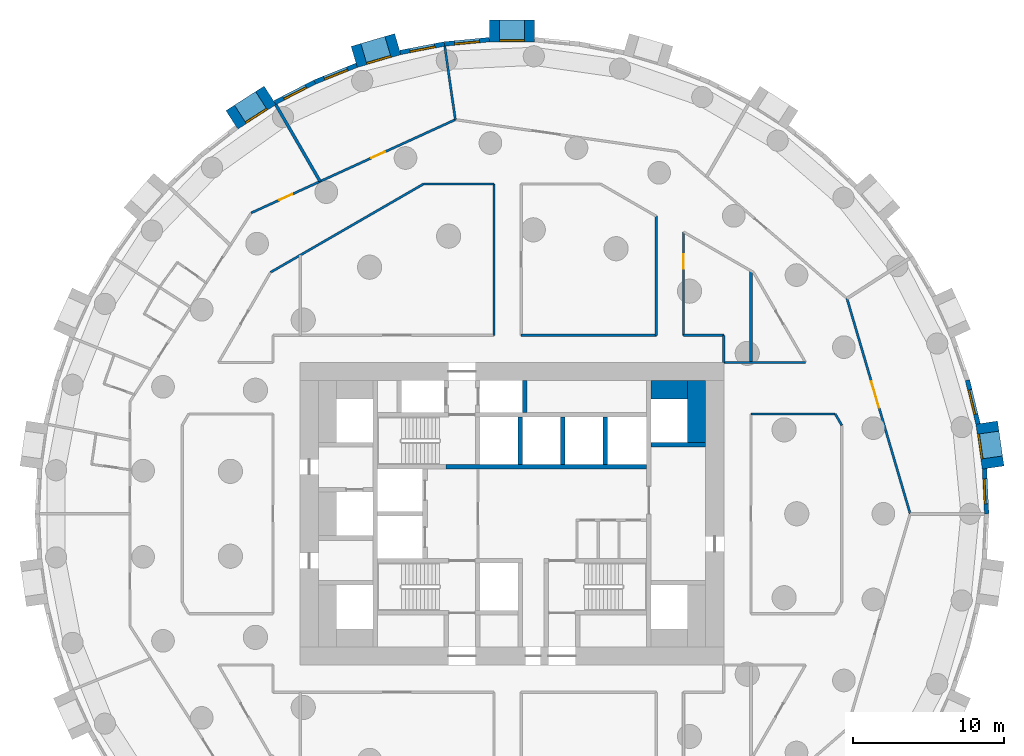
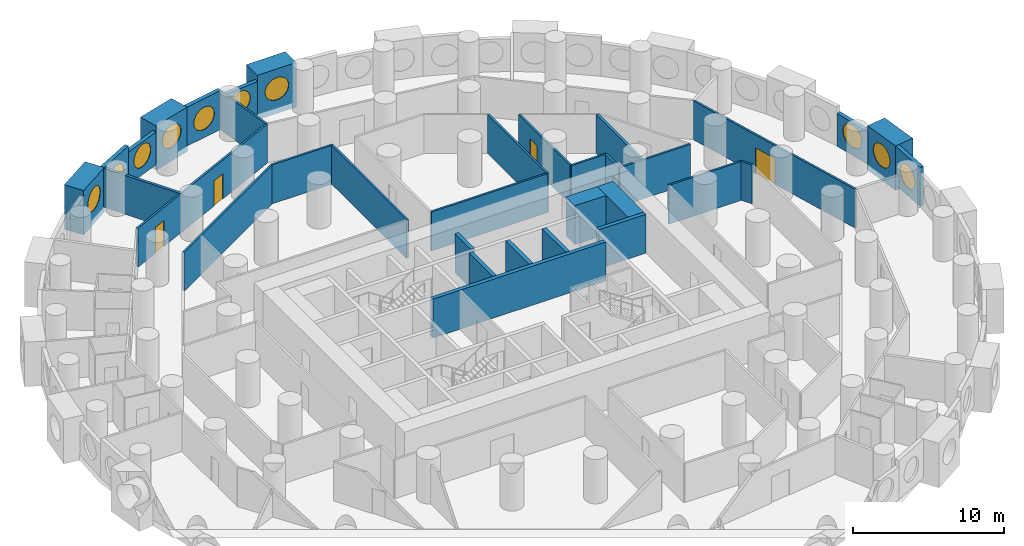
# One storey, part 8 of 11: 34 walls, 10 windows, 4 doors, 14 openings.
"""IFC4 building model written with IfcOpenShell, lengths in metres."""

from ifc_helpers import new_model, si_unit, direction, frame, frame_2d, origin, origin_2d, place, context, subcontext, project, spatial, rectangle, circle, extrude, material, layer, layer_set, type_object, element, fill, save


model = new_model("IFC4")

# Units and contexts
model_context = context("Model", 3, precision=1e-05, world=origin(), true_north=direction((0.0, 1.0)))
body_context = subcontext(model_context, "Body", "Model", "MODEL_VIEW")
ifc_project = project(units=[si_unit("LENGTHUNIT", "METRE"), si_unit("AREAUNIT", "SQUARE_METRE"), si_unit("VOLUMEUNIT", "CUBIC_METRE"), si_unit("PLANEANGLEUNIT", "RADIAN"), si_unit("MASSUNIT", "GRAM", prefix="KILO")], contexts=[model_context])

# Site, building, storey
site_placement = place(None, origin())
site = spatial("IfcSite", under=ifc_project, at=site_placement, CompositionType="ELEMENT")
building_placement = place(site_placement, origin())
building = spatial("IfcBuilding", under=site, at=building_placement, Name="Tracery Tower", CompositionType="ELEMENT")
storey_placement = place(building_placement, frame((0.0, 0.0, 60.60009765625)))
storey = spatial("IfcBuildingStorey", under=building, at=storey_placement, Name="L14", CompositionType="ELEMENT", Elevation=60.60009765625)

# Walls
ifc_material_1 = material(Name="Concrete C60/75", Category="concrete")
ifc_layer_1 = layer(ifc_material_1, 1.199951171875)
ifc_layer_set_1 = layer_set([ifc_layer_1], Name="Core strip wall 1200 C60")
wall_type_1 = type_object("IfcWallType", Name="Core strip wall 1200 C60", PredefinedType="SOLIDWALL", material=ifc_layer_set_1)
wall_1_placement = place(storey_placement, frame((12.199951171875, 4.699951171875, 0.0), z_axis=(0.0, 0.0, 1.0), x_axis=(0.0, 1.0, 0.0)))
element("IfcWall", 1, at=wall_1_placement, inside=storey, type_object=wall_type_1, Name="L14 wing strip +1 4.55", PredefinedType="SOLIDWALL", context=body_context, shape_type="SweptSolid", body=[
    extrude(rectangle(XDim=4.10009765625, YDim=1.199951171875, at=frame_2d((2.050048828125, 0.0))), origin(), (0.0, 0.0, 1.0), 3.14990234375),
])
wall_2_placement = place(storey_placement, frame((9.199951171875, 8.199951171875, 0.0), z_axis=(0.0, 0.0, 1.0), x_axis=(1.0, 0.0, 0.0)))
element("IfcWall", 2, at=wall_2_placement, inside=storey, type_object=wall_type_1, Name="L14 wing corner +1 +8.2", PredefinedType="SOLIDWALL", context=body_context, shape_type="SweptSolid", body=[
    extrude(rectangle(XDim=2.400146484375, YDim=1.199951171875, at=frame_2d((1.2001953125, 0.0))), origin(), (0.0, 0.0, 1.0), 3.14990234375),
])

# Wall, opening, window
ifc_material_2 = material(Name="Precast concrete C50/60", Category="concrete")
ifc_layer_2 = layer(ifc_material_2, 1.449951171875)
ifc_layer_set_2 = layer_set([ifc_layer_2], Name="Deep-set bay unit 3000 x 3600, slab edge 450")
wall_type_2 = type_object("IfcWallType", Name="Deep-set bay unit 3000 x 3600, slab edge 450", PredefinedType="ELEMENTEDWALL", material=ifc_layer_set_2)
wall_3_placement = place(storey_placement, frame((31.802490234375, 3.05712890625, -0.4501953125), z_axis=(0.0, 0.0, 1.0), x_axis=(-0.142332746704, 0.989818866872, 0.0)))
wall_3 = element("IfcWall", 3, at=wall_3_placement, inside=storey, type_object=wall_type_2, Name="Deep-set bay unit 2 at L14", PredefinedType="ELEMENTEDWALL", context=body_context, shape_type="SweptSolid", body=[
    extrude(rectangle(XDim=3.0, YDim=1.449951171875, at=frame_2d((1.5, 0.0))), origin(), (0.0, 0.0, 1.0), 3.60009765625),
])
opening_1_placement = place(wall_3_placement, frame((1.5, 0.0, 2.0)))
opening_1 = element("IfcOpeningElement", 4, at=opening_1_placement, cuts=wall_3, Name="Opening WN1", PredefinedType="OPENING", context=body_context, shape_type="SweptSolid", body=[
    extrude(circle(Radius=0.9000244140625, at=origin_2d()), frame((0.0, 0.73486328125, 0.0), z_axis=(0.0, -1.0, 0.0), x_axis=(1.0, 0.0, 0.0)), (0.0, 0.0, 1.0), 1.469970703125),
])
ifc_material_3 = material(Name="Aluminium frame with tinted double glazing", Category="aluminium")
window_type = type_object("IfcWindowType", Name="Round window 1800", PartitioningType="SINGLE_PANEL", PredefinedType="WINDOW", material=ifc_material_3)
window_1_placement = place(opening_1_placement, origin())
window_1 = element("IfcWindow", 5, at=window_1_placement, inside=storey, type_object=window_type, Name="Round window 2 at L14", OverallHeight=1.800048828125, OverallWidth=1.800048828125, PartitioningType="SINGLE_PANEL", PredefinedType="WINDOW", context=body_context, shape_type="SweptSolid", body=[
    extrude(circle(Radius=0.9000244140625, at=origin_2d()), frame((0.0, 0.69482421875, 0.0), z_axis=(0.0, -1.0, 0.0), x_axis=(1.0, 0.0, 0.0)), (0.0, 0.0, 1.0), 0.10009765625),
])
fill(opening_1, window_1)

wall_4_placement = place(storey_placement, frame((1.5, 31.913818359375, -0.4501953125), z_axis=(0.0, 0.0, 1.0), x_axis=(-1.0, 0.0, 0.0)))
wall_4 = element("IfcWall", 6, at=wall_4_placement, inside=storey, type_object=wall_type_2, Name="Deep-set bay unit 17 at L14", PredefinedType="ELEMENTEDWALL", context=body_context, shape_type="SweptSolid", body=[
    extrude(rectangle(XDim=3.0, YDim=1.449951171875, at=frame_2d((1.5, 0.0))), origin(), (0.0, 0.0, 1.0), 3.60009765625),
])
opening_2_placement = place(wall_4_placement, frame((1.5, 0.0, 2.0)))
opening_2 = element("IfcOpeningElement", 7, at=opening_2_placement, cuts=wall_4, Name="Opening WN1", PredefinedType="OPENING", context=body_context, shape_type="SweptSolid", body=[
    extrude(circle(Radius=0.9000244140625, at=origin_2d()), frame((0.0, 0.73486328125, 0.0), z_axis=(0.0, -1.0, 0.0), x_axis=(1.0, 0.0, 0.0)), (0.0, 0.0, 1.0), 1.469970703125),
])
window_2_placement = place(opening_2_placement, origin())
window_2 = element("IfcWindow", 8, at=window_2_placement, inside=storey, type_object=window_type, Name="Round window 17 at L14", OverallHeight=1.800048828125, OverallWidth=1.800048828125, PartitioningType="SINGLE_PANEL", PredefinedType="WINDOW", context=body_context, shape_type="SweptSolid", body=[
    extrude(circle(Radius=0.9000244140625, at=origin_2d()), frame((0.0, 0.69482421875, 0.0), z_axis=(0.0, -1.0, 0.0), x_axis=(1.0, 0.0, 0.0)), (0.0, 0.0, 1.0), 0.10009765625),
])
fill(opening_2, window_2)

wall_5_placement = place(storey_placement, frame((-7.552001953125, 31.043701171875, -0.4501953125), z_axis=(0.0, 0.0, 1.0), x_axis=(-0.959489813418, -0.281743319258, 0.0)))
wall_5 = element("IfcWall", 9, at=wall_5_placement, inside=storey, type_object=wall_type_2, Name="Deep-set bay unit 20 at L14", PredefinedType="ELEMENTEDWALL", context=body_context, shape_type="SweptSolid", body=[
    extrude(rectangle(XDim=3.0, YDim=1.449951171875, at=frame_2d((1.5, 0.0))), origin(), (0.0, 0.0, 1.0), 3.60009765625),
])
opening_3_placement = place(wall_5_placement, frame((1.5, 0.0, 2.0)))
opening_3 = element("IfcOpeningElement", 10, at=opening_3_placement, cuts=wall_5, Name="Opening WN1", PredefinedType="OPENING", context=body_context, shape_type="SweptSolid", body=[
    extrude(circle(Radius=0.9000244140625, at=origin_2d()), frame((0.0, 0.73486328125, 0.0), z_axis=(0.0, -1.0, 0.0), x_axis=(1.0, 0.0, 0.0)), (0.0, 0.0, 1.0), 1.469970703125),
])
window_3_placement = place(opening_3_placement, origin())
window_3 = element("IfcWindow", 11, at=window_3_placement, inside=storey, type_object=window_type, Name="Round window 20 at L14", OverallHeight=1.800048828125, OverallWidth=1.800048828125, PartitioningType="SINGLE_PANEL", PredefinedType="WINDOW", context=body_context, shape_type="SweptSolid", body=[
    extrude(circle(Radius=0.9000244140625, at=origin_2d()), frame((0.0, 0.69482421875, 0.0), z_axis=(0.0, -1.0, 0.0), x_axis=(1.0, 0.0, 0.0)), (0.0, 0.0, 1.0), 0.10009765625),
])
fill(opening_3, window_3)

wall_6_placement = place(storey_placement, frame((-15.9921875, 27.65869140625, -0.4501953125), z_axis=(0.0, 0.0, 1.0), x_axis=(-0.841223422347, -0.540687667415, 0.0)))
wall_6 = element("IfcWall", 12, at=wall_6_placement, inside=storey, type_object=wall_type_2, Name="Deep-set bay unit 23 at L14", PredefinedType="ELEMENTEDWALL", context=body_context, shape_type="SweptSolid", body=[
    extrude(rectangle(XDim=3.0, YDim=1.449951171875, at=frame_2d((1.5, 0.0))), origin(), (0.0, 0.0, 1.0), 3.60009765625),
])
opening_4_placement = place(wall_6_placement, frame((1.5, 0.0, 2.0)))
opening_4 = element("IfcOpeningElement", 13, at=opening_4_placement, cuts=wall_6, Name="Opening WN1", PredefinedType="OPENING", context=body_context, shape_type="SweptSolid", body=[
    extrude(circle(Radius=0.9000244140625, at=origin_2d()), frame((0.0, 0.73486328125, 0.0), z_axis=(0.0, -1.0, 0.0), x_axis=(1.0, 0.0, 0.0)), (0.0, 0.0, 1.0), 1.469970703125),
])
window_4_placement = place(opening_4_placement, origin())
window_4 = element("IfcWindow", 14, at=window_4_placement, inside=storey, type_object=window_type, Name="Round window 23 at L14", OverallHeight=1.800048828125, OverallWidth=1.800048828125, PartitioningType="SINGLE_PANEL", PredefinedType="WINDOW", context=body_context, shape_type="SweptSolid", body=[
    extrude(circle(Radius=0.9000244140625, at=origin_2d()), frame((0.0, 0.69482421875, 0.0), z_axis=(0.0, -1.0, 0.0), x_axis=(1.0, 0.0, 0.0)), (0.0, 0.0, 1.0), 0.10009765625),
])
fill(opening_4, window_4)

ifc_material_4 = material(Name="Precast concrete C50/60", Category="concrete")
ifc_layer_3 = layer(ifc_material_4, 0.300048828125)
ifc_layer_set_3 = layer_set([ifc_layer_3], Name="Facade panel 3000 x 2650")
wall_type_3 = type_object("IfcWallType", Name="Facade panel 3000 x 2650", PredefinedType="SOLIDWALL", material=ifc_layer_set_3)
wall_7_placement = place(storey_placement, frame((30.805908203125, 5.943603515625, 0.0), z_axis=(0.0, 0.0, 1.0), x_axis=(-0.235743081534, 0.971815414319, 0.0)))
wall_7 = element("IfcWall", 15, at=wall_7_placement, inside=storey, type_object=wall_type_3, Name="Facade panel 3 at L14", PredefinedType="SOLIDWALL", context=body_context, shape_type="SweptSolid", body=[
    extrude(rectangle(XDim=2.9794921875, YDim=0.300048828125, at=frame_2d((1.48974609375, 0.0))), origin(), (0.0, 0.0, 1.0), 2.64990234375),
])
opening_5_placement = place(wall_7_placement, frame((1.48974609375, 0.0, 1.5498046875)))
opening_5 = element("IfcOpeningElement", 16, at=opening_5_placement, cuts=wall_7, Name="Opening WN1", PredefinedType="OPENING", context=body_context, shape_type="SweptSolid", body=[
    extrude(circle(Radius=0.9000244140625, at=origin_2d()), frame((0.0, 0.159912109375, 0.0), z_axis=(0.0, -1.0, 0.0), x_axis=(1.0, 0.0, 0.0)), (0.0, 0.0, 1.0), 0.320068359375),
])
window_5_placement = place(opening_5_placement, origin())
window_5 = element("IfcWindow", 17, at=window_5_placement, inside=storey, type_object=window_type, Name="Round window 3 at L14", OverallHeight=1.800048828125, OverallWidth=1.800048828125, PartitioningType="SINGLE_PANEL", PredefinedType="WINDOW", context=body_context, shape_type="SweptSolid", body=[
    extrude(circle(Radius=0.9000244140625, at=origin_2d()), frame((0.0, 0.1201171875, 0.0), z_axis=(0.0, -1.0, 0.0), x_axis=(1.0, 0.0, 0.0)), (0.0, 0.0, 1.0), 0.10009765625),
])
fill(opening_5, window_5)

wall_8_placement = place(storey_placement, frame((-1.498779296875, 31.33837890625, 0.0), z_axis=(0.0, 0.0, 1.0), x_axis=(-0.995473351551, -0.095041077185, 0.0)))
wall_8 = element("IfcWall", 18, at=wall_8_placement, inside=storey, type_object=wall_type_3, Name="Facade panel 18 at L14", PredefinedType="SOLIDWALL", context=body_context, shape_type="SweptSolid", body=[
    extrude(rectangle(XDim=2.979736328125, YDim=0.300048828125, at=frame_2d((1.48974609375, 0.0))), origin(), (0.0, 0.0, 1.0), 2.64990234375),
])
opening_6_placement = place(wall_8_placement, frame((1.48974609375, 0.0, 1.5498046875)))
opening_6 = element("IfcOpeningElement", 19, at=opening_6_placement, cuts=wall_8, Name="Opening WN1", PredefinedType="OPENING", context=body_context, shape_type="SweptSolid", body=[
    extrude(circle(Radius=0.9000244140625, at=origin_2d()), frame((0.0, 0.159912109375, 0.0), z_axis=(0.0, -1.0, 0.0), x_axis=(1.0, 0.0, 0.0)), (0.0, 0.0, 1.0), 0.320068359375),
])
window_6_placement = place(opening_6_placement, origin())
window_6 = element("IfcWindow", 20, at=window_6_placement, inside=storey, type_object=window_type, Name="Round window 18 at L14", OverallHeight=1.800048828125, OverallWidth=1.800048828125, PartitioningType="SINGLE_PANEL", PredefinedType="WINDOW", context=body_context, shape_type="SweptSolid", body=[
    extrude(circle(Radius=0.9000244140625, at=origin_2d()), frame((0.0, 0.1201171875, 0.0), z_axis=(0.0, -1.0, 0.0), x_axis=(1.0, 0.0, 0.0)), (0.0, 0.0, 1.0), 0.10009765625),
])
fill(opening_6, window_6)

wall_9_placement = place(storey_placement, frame((-10.26708984375, 29.646484375, 0.0), z_axis=(0.0, 0.0, 1.0), x_axis=(-0.928403213937, -0.371574316054, 0.0)))
wall_9 = element("IfcWall", 21, at=wall_9_placement, inside=storey, type_object=wall_type_3, Name="Facade panel 21 at L14", PredefinedType="SOLIDWALL", context=body_context, shape_type="SweptSolid", body=[
    extrude(rectangle(XDim=2.979736328125, YDim=0.300048828125, at=frame_2d((1.48974609375, 0.0))), origin(), (0.0, 0.0, 1.0), 2.64990234375),
])
opening_7_placement = place(wall_9_placement, frame((1.48974609375, 0.0, 1.5498046875)))
opening_7 = element("IfcOpeningElement", 22, at=opening_7_placement, cuts=wall_9, Name="Opening WN1", PredefinedType="OPENING", context=body_context, shape_type="SweptSolid", body=[
    extrude(circle(Radius=0.9000244140625, at=origin_2d()), frame((0.0, 0.159912109375, 0.0), z_axis=(0.0, -1.0, 0.0), x_axis=(1.0, 0.0, 0.0)), (0.0, 0.0, 1.0), 0.320068359375),
])
window_7_placement = place(opening_7_placement, origin())
window_7 = element("IfcWindow", 23, at=window_7_placement, inside=storey, type_object=window_type, Name="Round window 21 at L14", OverallHeight=1.800048828125, OverallWidth=1.800048828125, PartitioningType="SINGLE_PANEL", PredefinedType="WINDOW", context=body_context, shape_type="SweptSolid", body=[
    extrude(circle(Radius=0.9000244140625, at=origin_2d()), frame((0.0, 0.1201171875, 0.0), z_axis=(0.0, -1.0, 0.0), x_axis=(1.0, 0.0, 0.0)), (0.0, 0.0, 1.0), 0.10009765625),
])
fill(opening_7, window_7)

ifc_material_5 = material(Name="Precast concrete C50/60", Category="concrete")
ifc_layer_4 = layer(ifc_material_5, 0.300048828125)
ifc_layer_set_4 = layer_set([ifc_layer_4], Name="Facade panel 3000 x 3150")
wall_type_4 = type_object("IfcWallType", Name="Facade panel 3000 x 3150", PredefinedType="SOLIDWALL", material=ifc_layer_set_4)
wall_10_placement = place(storey_placement, frame((31.37451171875, 0.0, 0.0), z_axis=(0.0, 0.0, 1.0), x_axis=(-0.047604077644, 0.998866283239, 0.0)))
wall_10 = element("IfcWall", 24, at=wall_10_placement, inside=storey, type_object=wall_type_4, Name="Facade panel 1 at L14", PredefinedType="SOLIDWALL", context=body_context, shape_type="SweptSolid", body=[
    extrude(rectangle(XDim=2.979736328125, YDim=0.300048828125, at=frame_2d((1.48974609375, 0.0))), origin(), (0.0, 0.0, 1.0), 3.14990234375),
])
opening_8_placement = place(wall_10_placement, frame((1.48974609375, 0.0, 1.5498046875)))
opening_8 = element("IfcOpeningElement", 25, at=opening_8_placement, cuts=wall_10, Name="Opening WN1", PredefinedType="OPENING", context=body_context, shape_type="SweptSolid", body=[
    extrude(circle(Radius=0.9000244140625, at=origin_2d()), frame((0.0, 0.159912109375, 0.0), z_axis=(0.0, -1.0, 0.0), x_axis=(1.0, 0.0, 0.0)), (0.0, 0.0, 1.0), 0.320068359375),
])
window_8_placement = place(opening_8_placement, origin())
window_8 = element("IfcWindow", 26, at=window_8_placement, inside=storey, type_object=window_type, Name="Round window 1 at L14", OverallHeight=1.800048828125, OverallWidth=1.800048828125, PartitioningType="SINGLE_PANEL", PredefinedType="WINDOW", context=body_context, shape_type="SweptSolid", body=[
    extrude(circle(Radius=0.9000244140625, at=origin_2d()), frame((0.0, 0.1201171875, 0.0), z_axis=(0.0, -1.0, 0.0), x_axis=(1.0, 0.0, 0.0)), (0.0, 0.0, 1.0), 0.10009765625),
])
fill(opening_8, window_8)

wall_11_placement = place(storey_placement, frame((-4.465087890625, 31.05517578125, 0.0), z_axis=(0.0, 0.0, 1.0), x_axis=(-0.981924535406, -0.189272836848, 0.0)))
wall_11 = element("IfcWall", 27, at=wall_11_placement, inside=storey, type_object=wall_type_4, Name="Facade panel 19 at L14", PredefinedType="SOLIDWALL", context=body_context, shape_type="SweptSolid", body=[
    extrude(rectangle(XDim=2.979736328125, YDim=0.300048828125, at=frame_2d((1.48974609375, 0.0))), origin(), (0.0, 0.0, 1.0), 3.14990234375),
])
opening_9_placement = place(wall_11_placement, frame((1.48974609375, 0.0, 1.5498046875)))
opening_9 = element("IfcOpeningElement", 28, at=opening_9_placement, cuts=wall_11, Name="Opening WN1", PredefinedType="OPENING", context=body_context, shape_type="SweptSolid", body=[
    extrude(circle(Radius=0.9000244140625, at=origin_2d()), frame((0.0, 0.159912109375, 0.0), z_axis=(0.0, -1.0, 0.0), x_axis=(1.0, 0.0, 0.0)), (0.0, 0.0, 1.0), 0.320068359375),
])
window_9_placement = place(opening_9_placement, origin())
window_9 = element("IfcWindow", 29, at=window_9_placement, inside=storey, type_object=window_type, Name="Round window 19 at L14", OverallHeight=1.800048828125, OverallWidth=1.800048828125, PartitioningType="SINGLE_PANEL", PredefinedType="WINDOW", context=body_context, shape_type="SweptSolid", body=[
    extrude(circle(Radius=0.9000244140625, at=origin_2d()), frame((0.0, 0.1201171875, 0.0), z_axis=(0.0, -1.0, 0.0), x_axis=(1.0, 0.0, 0.0)), (0.0, 0.0, 1.0), 0.10009765625),
])
fill(opening_9, window_9)

wall_12_placement = place(storey_placement, frame((-13.033447265625, 28.539306640625, 0.0), z_axis=(0.0, 0.0, 1.0), x_axis=(-0.888819853856, -0.458256770153, 0.0)))
wall_12 = element("IfcWall", 30, at=wall_12_placement, inside=storey, type_object=wall_type_4, Name="Facade panel 22 at L14", PredefinedType="SOLIDWALL", context=body_context, shape_type="SweptSolid", body=[
    extrude(rectangle(XDim=2.979736328125, YDim=0.300048828125, at=frame_2d((1.48974609375, 0.0))), origin(), (0.0, 0.0, 1.0), 3.14990234375),
])
opening_10_placement = place(wall_12_placement, frame((1.48974609375, 0.0, 1.5498046875)))
opening_10 = element("IfcOpeningElement", 31, at=opening_10_placement, cuts=wall_12, Name="Opening WN1", PredefinedType="OPENING", context=body_context, shape_type="SweptSolid", body=[
    extrude(circle(Radius=0.9000244140625, at=origin_2d()), frame((0.0, 0.159912109375, 0.0), z_axis=(0.0, -1.0, 0.0), x_axis=(1.0, 0.0, 0.0)), (0.0, 0.0, 1.0), 0.320068359375),
])
window_10_placement = place(opening_10_placement, origin())
window_10 = element("IfcWindow", 32, at=window_10_placement, inside=storey, type_object=window_type, Name="Round window 22 at L14", OverallHeight=1.800048828125, OverallWidth=1.800048828125, PartitioningType="SINGLE_PANEL", PredefinedType="WINDOW", context=body_context, shape_type="SweptSolid", body=[
    extrude(circle(Radius=0.9000244140625, at=origin_2d()), frame((0.0, 0.1201171875, 0.0), z_axis=(0.0, -1.0, 0.0), x_axis=(1.0, 0.0, 0.0)), (0.0, 0.0, 1.0), 0.10009765625),
])
fill(opening_10, window_10)

# Walls
ifc_material_6 = material(Name="Plasterboard on steel studs", Category="steel")
ifc_layer_5 = layer(ifc_material_6, 0.14990234375)
ifc_layer_set_5 = layer_set([ifc_layer_5], Name="Partition 150 acoustic unit wall")
wall_type_5 = type_object("IfcWallType", Name="Partition 150 acoustic unit wall", PredefinedType="PARTITIONING", material=ifc_layer_set_5)
wall_13_placement = place(storey_placement, frame((-4.444091796875, 30.906005859375, 0.0), z_axis=(0.0, 0.0, 1.0), x_axis=(0.142306296561, -0.989822669956, 0.0)))
element("IfcWall", 33, at=wall_13_placement, inside=storey, type_object=wall_type_5, Name="Unit wall RA4-068", PredefinedType="PARTITIONING", context=body_context, shape_type="SweptSolid", body=[
    extrude(rectangle(XDim=4.90478515625, YDim=0.14990234375, at=frame_2d((2.452392578125, 0.0))), origin(), (0.0, 0.0, 1.0), 3.14990234375),
])
ifc_material_7 = material(Name="Plasterboard on steel studs", Category="steel")
ifc_layer_6 = layer(ifc_material_7, 0.14990234375)
ifc_layer_set_6 = layer_set([ifc_layer_6], Name="Partition 150 corridor wall")
wall_type_6 = type_object("IfcWallType", Name="Partition 150 corridor wall", PredefinedType="PARTITIONING", material=ifc_layer_set_6)
wall_14_placement = place(storey_placement, frame((0.60400390625, 11.800048828125, 0.0), z_axis=(0.0, 0.0, 1.0), x_axis=(1.0, 0.0, 0.0)))
element("IfcWall", 34, at=wall_14_placement, inside=storey, type_object=wall_type_6, Name="Corridor wall RA4-002", PredefinedType="PARTITIONING", context=body_context, shape_type="SweptSolid", body=[
    extrude(rectangle(XDim=8.93603515625, YDim=0.14990234375, at=frame_2d((4.468017578125, 0.0))), origin(), (0.0, 0.0, 1.0), 3.14990234375),
])
wall_15_placement = place(storey_placement, frame((11.33203125, 11.800048828125, 0.0), z_axis=(0.0, 0.0, 1.0), x_axis=(1.0, 0.0, 0.0)))
element("IfcWall", 35, at=wall_15_placement, inside=storey, type_object=wall_type_6, Name="Corridor wall RA4-003", PredefinedType="PARTITIONING", context=body_context, shape_type="SweptSolid", body=[
    extrude(rectangle(XDim=2.66796875, YDim=0.14990234375, at=frame_2d((1.333984375, 0.0))), origin(), (0.0, 0.0, 1.0), 3.14990234375),
])
wall_16_placement = place(storey_placement, frame((14.0, 10.0, 0.0), z_axis=(0.0, 0.0, 1.0), x_axis=(0.0, 1.0, 0.0)))
element("IfcWall", 36, at=wall_16_placement, inside=storey, type_object=wall_type_6, Name="Corridor wall RA4-004", PredefinedType="PARTITIONING", context=body_context, shape_type="SweptSolid", body=[
    extrude(rectangle(XDim=1.800048828125, YDim=0.14990234375, at=frame_2d((0.89990234375, 0.0))), origin(), (0.0, 0.0, 1.0), 3.14990234375),
])
wall_17_placement = place(storey_placement, frame((14.0, 10.0, 0.0), z_axis=(0.0, 0.0, 1.0), x_axis=(1.0, 0.0, 0.0)))
element("IfcWall", 37, at=wall_17_placement, inside=storey, type_object=wall_type_6, Name="Corridor wall RA4-011", PredefinedType="PARTITIONING", context=body_context, shape_type="SweptSolid", body=[
    extrude(rectangle(XDim=5.40087890625, YDim=0.14990234375, at=frame_2d((2.700439453125, 0.0))), origin(), (0.0, 0.0, 1.0), 3.14990234375),
])
wall_18_placement = place(storey_placement, frame((21.364013671875, 6.60009765625, 0.0), z_axis=(0.0, 0.0, 1.0), x_axis=(0.500277597875, -0.865865073245, 0.0)))
element("IfcWall", 38, at=wall_18_placement, inside=storey, type_object=wall_type_6, Name="Corridor wall RA4-018", PredefinedType="PARTITIONING", context=body_context, shape_type="SweptSolid", body=[
    extrude(rectangle(XDim=0.87548828125, YDim=0.14990234375, at=frame_2d((0.437744140625, 0.0))), origin(), (0.0, 0.0, 1.0), 3.14990234375),
])
wall_19_placement = place(storey_placement, frame((15.800048828125, 6.60009765625, 0.0), z_axis=(0.0, 0.0, 1.0), x_axis=(1.0, 0.0, 0.0)))
element("IfcWall", 39, at=wall_19_placement, inside=storey, type_object=wall_type_6, Name="Corridor wall RA4-019", PredefinedType="PARTITIONING", context=body_context, shape_type="SweptSolid", body=[
    extrude(rectangle(XDim=5.56396484375, YDim=0.14990234375, at=frame_2d((2.781982421875, 0.0))), origin(), (0.0, 0.0, 1.0), 3.14990234375),
])

# Wall, opening, door
wall_20_placement = place(storey_placement, frame((22.14111328125, 14.22900390625, 0.0), z_axis=(0.0, 0.0, 1.0), x_axis=(0.281730446162, -0.959493593363, 0.0)))
wall_20 = element("IfcWall", 40, at=wall_20_placement, inside=storey, type_object=wall_type_6, Name="Corridor wall RA4-022", PredefinedType="PARTITIONING", context=body_context, shape_type="SweptSolid", body=[
    extrude(rectangle(XDim=14.82958984375, YDim=0.14990234375, at=frame_2d((7.414794921875, 0.0))), origin(), (0.0, 0.0, 1.0), 3.14990234375),
])
opening_11_placement = place(wall_20_placement, frame((5.715087890625, 0.0, 0.0)))
opening_11 = element("IfcOpeningElement", 41, at=opening_11_placement, cuts=wall_20, Name="Opening RA4-13", PredefinedType="OPENING", context=body_context, shape_type="SweptSolid", body=[
    extrude(rectangle(XDim=1.800048828125, YDim=2.10009765625, at=frame_2d((0.89990234375, 1.050048828125))), frame((0.0, 0.074951171875, 0.0), z_axis=(0.0, -1.0, 0.0), x_axis=(1.0, 0.0, 0.0)), (0.0, 0.0, 1.0), 0.14990234375),
])
ifc_material_8 = material(Name="Timber door leaf", Category="wood")
door_type_1 = type_object("IfcDoorType", Name="Door double lounge 1800", OperationType="NOTDEFINED", PredefinedType="DOOR", material=ifc_material_8)
door_1_placement = place(opening_11_placement, origin())
door_1 = element("IfcDoor", 42, at=door_1_placement, inside=storey, type_object=door_type_1, Name="Double lounge door RA4-13", OperationType="DOUBLE_DOOR_SINGLE_SWING", OverallHeight=2.10009765625, OverallWidth=1.800048828125, PredefinedType="DOOR", context=body_context, shape_type="SweptSolid", body=[
    extrude(rectangle(XDim=1.800048828125, YDim=2.10009765625, at=frame_2d((0.89990234375, 1.050048828125))), frame((0.0, 0.02490234375, 0.0), z_axis=(0.0, -1.0, 0.0), x_axis=(1.0, 0.0, 0.0)), (0.0, 0.0, 1.0), 0.050048828125),
])
fill(opening_11, door_1)

# Walls
wall_21_placement = place(storey_placement, frame((-1.19189453125, 11.800048828125, 0.0), z_axis=(0.0, 0.0, 1.0), x_axis=(0.0, 1.0, 0.0)))
element("IfcWall", 43, at=wall_21_placement, inside=storey, type_object=wall_type_6, Name="Corridor wall RA4-026", PredefinedType="PARTITIONING", context=body_context, shape_type="SweptSolid", body=[
    extrude(rectangle(XDim=10.001953125, YDim=0.14990234375, at=frame_2d((5.0009765625, 0.0))), origin(), (0.0, 0.0, 1.0), 3.14990234375),
])
wall_22_placement = place(storey_placement, frame((-5.842041015625, 21.802001953125, 0.0), z_axis=(0.0, 0.0, 1.0), x_axis=(1.0, 0.0, 0.0)))
element("IfcWall", 44, at=wall_22_placement, inside=storey, type_object=wall_type_6, Name="Corridor wall RA4-027", PredefinedType="PARTITIONING", context=body_context, shape_type="SweptSolid", body=[
    extrude(rectangle(XDim=4.650146484375, YDim=0.14990234375, at=frame_2d((2.3251953125, 0.0))), origin(), (0.0, 0.0, 1.0), 3.14990234375),
])
wall_23_placement = place(storey_placement, frame((-15.960205078125, 15.960205078125, 0.0), z_axis=(0.0, 0.0, 1.0), x_axis=(0.866022730501, 0.500004630234, 0.0)))
element("IfcWall", 45, at=wall_23_placement, inside=storey, type_object=wall_type_6, Name="Corridor wall RA4-028", PredefinedType="PARTITIONING", context=body_context, shape_type="SweptSolid", body=[
    extrude(rectangle(XDim=11.68359375, YDim=0.14990234375, at=frame_2d((5.841796875, 0.0))), origin(), (0.0, 0.0, 1.0), 3.14990234375),
])
wall_24_placement = place(storey_placement, frame((9.535888671875, 11.800048828125, 0.0), z_axis=(0.0, 0.0, 1.0), x_axis=(0.0, 1.0, 0.0)))
element("IfcWall", 46, at=wall_24_placement, inside=storey, type_object=wall_type_6, Name="Corridor wall RA4-029", PredefinedType="PARTITIONING", context=body_context, shape_type="SweptSolid", body=[
    extrude(rectangle(XDim=7.868896484375, YDim=0.14990234375, at=frame_2d((3.9345703125, 0.0))), origin(), (0.0, 0.0, 1.0), 3.14990234375),
])

# Wall, opening, door
wall_25_placement = place(storey_placement, frame((11.3359375, 11.800048828125, 0.0), z_axis=(0.0, 0.0, 1.0), x_axis=(0.0, 1.0, 0.0)))
wall_25 = element("IfcWall", 47, at=wall_25_placement, inside=storey, type_object=wall_type_6, Name="Corridor wall RA4-034", PredefinedType="PARTITIONING", context=body_context, shape_type="SweptSolid", body=[
    extrude(rectangle(XDim=6.829833984375, YDim=0.14990234375, at=frame_2d((3.4150390625, 0.0))), origin(), (0.0, 0.0, 1.0), 3.14990234375),
])
opening_12_placement = place(wall_25_placement, frame((4.389892578125, 0.0, 0.0)))
opening_12 = element("IfcOpeningElement", 48, at=opening_12_placement, cuts=wall_25, Name="Opening RA4-03", PredefinedType="OPENING", context=body_context, shape_type="SweptSolid", body=[
    extrude(rectangle(XDim=0.949951171875, YDim=2.10009765625, at=frame_2d((0.47509765625, 1.050048828125))), frame((0.0, 0.074951171875, 0.0), z_axis=(0.0, -1.0, 0.0), x_axis=(1.0, 0.0, 0.0)), (0.0, 0.0, 1.0), 0.14990234375),
])
ifc_material_9 = material(Name="Timber door leaf", Category="wood")
door_type_2 = type_object("IfcDoorType", Name="Door store 950", OperationType="NOTDEFINED", PredefinedType="DOOR", material=ifc_material_9)
door_2_placement = place(opening_12_placement, origin())
door_2 = element("IfcDoor", 49, at=door_2_placement, inside=storey, type_object=door_type_2, Name="Store door RA4-03", OperationType="SINGLE_SWING_LEFT", OverallHeight=2.10009765625, OverallWidth=0.949951171875, PredefinedType="DOOR", context=body_context, shape_type="SweptSolid", body=[
    extrude(rectangle(XDim=0.949951171875, YDim=2.10009765625, at=frame_2d((0.47509765625, 1.050048828125))), frame((0.0, 0.02490234375, 0.0), z_axis=(0.0, -1.0, 0.0), x_axis=(1.0, 0.0, 0.0)), (0.0, 0.0, 1.0), 0.050048828125),
])
fill(opening_12, door_2)

# Wall, openings, doors
wall_26_placement = place(storey_placement, frame((-17.23486328125, 19.8896484375, 0.0), z_axis=(0.0, 0.0, 1.0), x_axis=(0.909599826886, 0.415485444907, 0.0)))
wall_26 = element("IfcWall", 50, at=wall_26_placement, inside=storey, type_object=wall_type_6, Name="Corridor wall RA4-036", PredefinedType="PARTITIONING", context=body_context, shape_type="SweptSolid", body=[
    extrude(rectangle(XDim=14.829345703125, YDim=0.14990234375, at=frame_2d((7.41455078125, 0.0))), origin(), (0.0, 0.0, 1.0), 3.14990234375),
])
opening_13_placement = place(wall_26_placement, frame((8.71484375, 0.0, 0.0)))
opening_13 = element("IfcOpeningElement", 51, at=opening_13_placement, cuts=wall_26, Name="Opening RA4-16", PredefinedType="OPENING", context=body_context, shape_type="SweptSolid", body=[
    extrude(rectangle(XDim=1.0, YDim=2.0400390625, at=frame_2d((0.5, 1.02001953125))), frame((0.0, 0.074951171875, 0.0), z_axis=(0.0, -1.0, 0.0), x_axis=(1.0, 0.0, 0.0)), (0.0, 0.0, 1.0), 0.14990234375),
])
opening_14_placement = place(wall_26_placement, frame((2.029052734375, 0.0, 0.0)))
opening_14 = element("IfcOpeningElement", 52, at=opening_14_placement, cuts=wall_26, Name="Opening RA4-17", PredefinedType="OPENING", context=body_context, shape_type="SweptSolid", body=[
    extrude(rectangle(XDim=0.949951171875, YDim=2.10009765625, at=frame_2d((0.47509765625, 1.050048828125))), frame((0.0, 0.074951171875, 0.0), z_axis=(0.0, -1.0, 0.0), x_axis=(1.0, 0.0, 0.0)), (0.0, 0.0, 1.0), 0.14990234375),
])
ifc_material_10 = material(Name="Timber door leaf", Category="wood")
door_type_3 = type_object("IfcDoorType", Name="Door communal room 1000", OperationType="NOTDEFINED", PredefinedType="DOOR", material=ifc_material_10)
door_3_placement = place(opening_13_placement, origin())
door_3 = element("IfcDoor", 53, at=door_3_placement, inside=storey, type_object=door_type_3, Name="Communal room door RA4-16", OperationType="SINGLE_SWING_LEFT", OverallHeight=2.0400390625, OverallWidth=1.0, PredefinedType="DOOR", context=body_context, shape_type="SweptSolid", body=[
    extrude(rectangle(XDim=1.0, YDim=2.0400390625, at=frame_2d((0.5, 1.02001953125))), frame((0.0, 0.02490234375, 0.0), z_axis=(0.0, -1.0, 0.0), x_axis=(1.0, 0.0, 0.0)), (0.0, 0.0, 1.0), 0.050048828125),
])
fill(opening_13, door_3)
door_4_placement = place(opening_14_placement, origin())
door_4 = element("IfcDoor", 54, at=door_4_placement, inside=storey, type_object=door_type_2, Name="Store door RA4-17", OperationType="SINGLE_SWING_RIGHT", OverallHeight=2.10009765625, OverallWidth=0.949951171875, PredefinedType="DOOR", context=body_context, shape_type="SweptSolid", body=[
    extrude(rectangle(XDim=0.949951171875, YDim=2.10009765625, at=frame_2d((0.47509765625, 1.050048828125))), frame((0.0, 0.02490234375, 0.0), z_axis=(0.0, -1.0, 0.0), x_axis=(1.0, 0.0, 0.0)), (0.0, 0.0, 1.0), 0.050048828125),
])
fill(opening_14, door_4)

# Walls
ifc_material_11 = material(Name="Plasterboard on steel studs", Category="steel")
ifc_layer_7 = layer(ifc_material_11, 0.199951171875)
ifc_layer_set_7 = layer_set([ifc_layer_7], Name="Partition 200 compartment wall")
wall_type_7 = type_object("IfcWallType", Name="Partition 200 compartment wall", PredefinedType="PARTITIONING", material=ifc_layer_set_7)
wall_27_placement = place(storey_placement, frame((15.800048828125, 10.0, 0.0), z_axis=(0.0, 0.0, 1.0), x_axis=(0.0, 1.0, 0.0)))
element("IfcWall", 55, at=wall_27_placement, inside=storey, type_object=wall_type_7, Name="Compartment wall RA4-062", PredefinedType="PARTITIONING", context=body_context, shape_type="SweptSolid", body=[
    extrude(rectangle(XDim=6.052978515625, YDim=0.199951171875, at=frame_2d((3.0263671875, 0.0))), origin(), (0.0, 0.0, 1.0), 3.14990234375),
])
wall_28_placement = place(storey_placement, frame((-15.612060546875, 27.041015625, 0.0), z_axis=(0.0, 0.0, 1.0), x_axis=(0.499954606878, -0.86605160993, 0.0)))
element("IfcWall", 56, at=wall_28_placement, inside=storey, type_object=wall_type_7, Name="Compartment wall RA4-069", PredefinedType="PARTITIONING", context=body_context, shape_type="SweptSolid", body=[
    extrude(rectangle(XDim=5.8564453125, YDim=0.199951171875, at=frame_2d((2.92822265625, 0.0))), origin(), (0.0, 0.0, 1.0), 3.14990234375),
])
ifc_material_12 = material(Name="Concrete C60/75", Category="concrete")
ifc_layer_8 = layer(ifc_material_12, 0.300048828125)
ifc_layer_set_8 = layer_set([ifc_layer_8], Name="Shaft wall 300 C60")
wall_type_8 = type_object("IfcWallType", Name="Shaft wall 300 C60", PredefinedType="SOLIDWALL", material=ifc_layer_set_8)
for number, where, z_axis, x_axis, name in (
    (57, (0.550048828125, 3.25, 0.0), (0.0, 0.0, 1.0), (0.0, 1.0, 0.0), "L14 HR sep 1"),
    (58, (3.35009765625, 3.25, 0.0), (0.0, 0.0, 1.0), (0.0, 1.0, 0.0), "L14 HR sep 2"),
    (59, (6.14990234375, 3.25, 0.0), (0.0, 0.0, 1.0), (0.0, 1.0, 0.0), "L14 HR sep 3"),
):
    element("IfcWall", number, at=place(storey_placement, frame(where, z_axis=z_axis, x_axis=x_axis)), inside=storey, type_object=wall_type_8, Name=name, PredefinedType="SOLIDWALL", context=body_context, shape_type="SweptSolid", body=[
        extrude(rectangle(XDim=3.14990234375, YDim=0.300048828125, at=frame_2d((1.574951171875, 0.0))), origin(), (0.0, 0.0, 1.0), 3.14990234375),
    ])
wall_29_placement = place(storey_placement, frame((0.85009765625, 6.699951171875, 0.0), z_axis=(0.0, 0.0, 1.0), x_axis=(0.0, 1.0, 0.0)))
element("IfcWall", 60, at=wall_29_placement, inside=storey, type_object=wall_type_8, Name="L14 LR sep 0.85", PredefinedType="SOLIDWALL", context=body_context, shape_type="SweptSolid", body=[
    extrude(rectangle(XDim=2.10009765625, YDim=0.300048828125, at=frame_2d((1.050048828125, 0.0))), origin(), (0.0, 0.0, 1.0), 3.14990234375),
])
wall_30_placement = place(storey_placement, frame((9.199951171875, 4.550048828125, 0.0), z_axis=(0.0, 0.0, 1.0), x_axis=(1.0, 0.0, 0.0)))
element("IfcWall", 61, at=wall_30_placement, inside=storey, type_object=wall_type_8, Name="L14 wing shaft wall +1 +4.55", PredefinedType="SOLIDWALL", context=body_context, shape_type="SweptSolid", body=[
    extrude(rectangle(XDim=3.60009765625, YDim=0.300048828125, at=frame_2d((1.800048828125, 0.0))), origin(), (0.0, 0.0, 1.0), 3.14990234375),
])
ifc_material_13 = material(Name="Concrete C60/75", Category="concrete")
ifc_layer_9 = layer(ifc_material_13, 0.300048828125)
ifc_layer_set_9 = layer_set([ifc_layer_9], Name="Stair wall 300 C60")
wall_type_9 = type_object("IfcWallType", Name="Stair wall 300 C60", PredefinedType="SOLIDWALL", material=ifc_layer_set_9)
wall_31_placement = place(storey_placement, frame((-4.35009765625, 3.10009765625, 0.0), z_axis=(0.0, 0.0, 1.0), x_axis=(1.0, 0.0, 0.0)))
element("IfcWall", 62, at=wall_31_placement, inside=storey, type_object=wall_type_9, Name="L14 row N", PredefinedType="SOLIDWALL", context=body_context, shape_type="SweptSolid", body=[
    extrude(rectangle(XDim=13.25, YDim=0.300048828125, at=frame_2d((6.625, 0.0))), origin(), (0.0, 0.0, 1.0), 3.14990234375),
])

save(model, "model.ifc")
